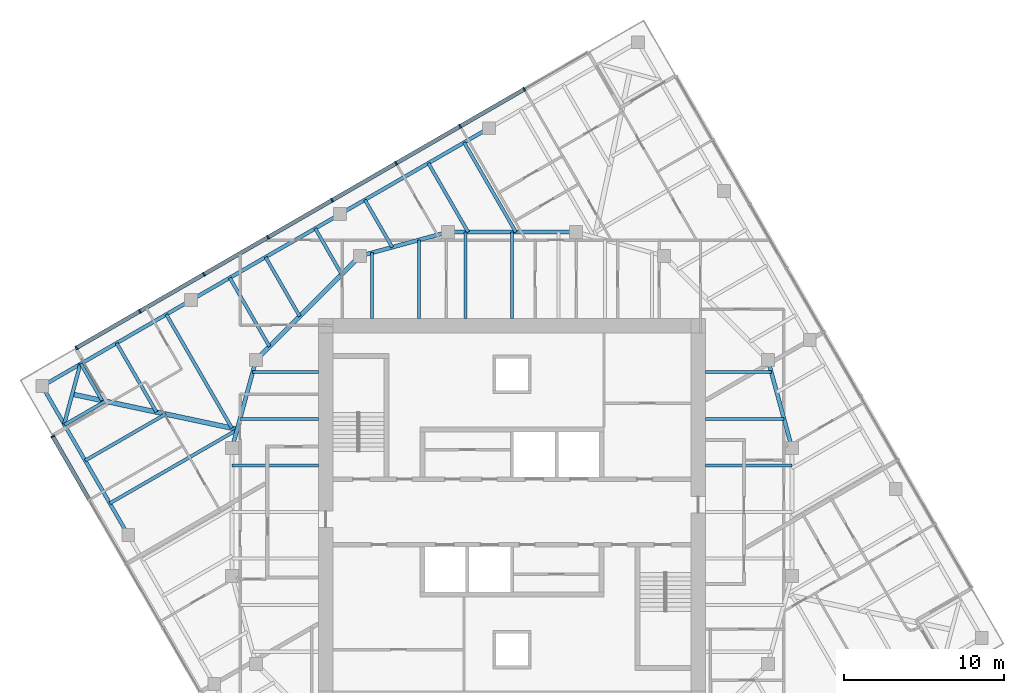
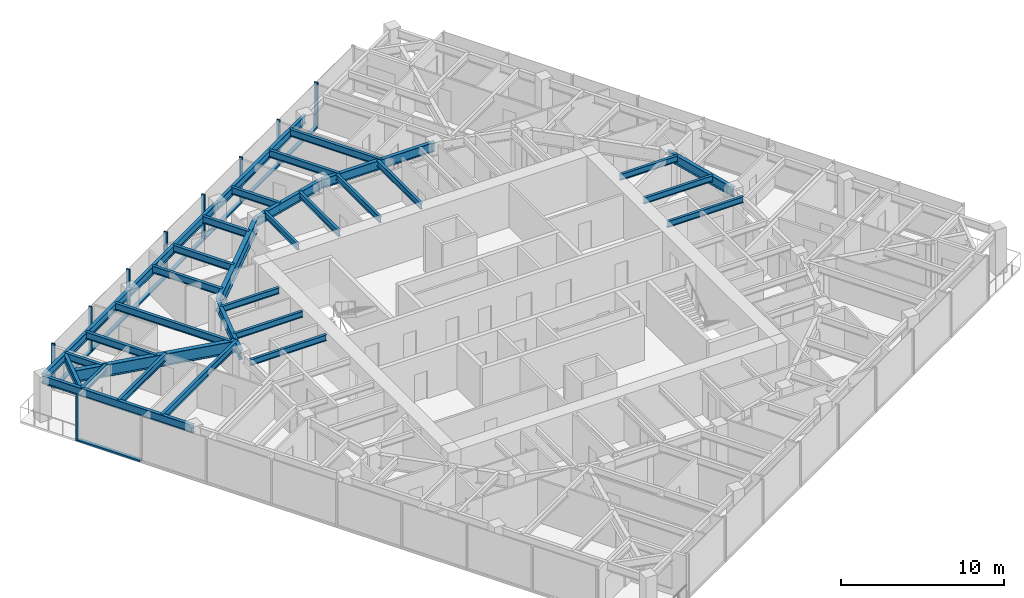
# One storey, part 4 of 13: 33 beams, 17 members, 2 elements without a shape of their own.
"""IFC4 building model written with IfcOpenShell, lengths in metres."""

from ifc_helpers import new_model, si_unit, direction, frame, origin, origin_2d, place, context, subcontext, project, spatial, rectangle, i_section, extrude, material, material_profile, profile_set, type_object, element, aggregate, save


model = new_model("IFC4")

# Units and contexts
model_context = context("Model", 3, precision=1e-05, world=origin(), true_north=direction((0.0, 1.0)))
body_context = subcontext(model_context, "Body", "Model", "MODEL_VIEW")
ifc_project = project(units=[si_unit("LENGTHUNIT", "METRE"), si_unit("AREAUNIT", "SQUARE_METRE"), si_unit("VOLUMEUNIT", "CUBIC_METRE"), si_unit("PLANEANGLEUNIT", "RADIAN"), si_unit("MASSUNIT", "GRAM", prefix="KILO")], contexts=[model_context])

# Site, building, storey
site_placement = place(None, origin())
site = spatial("IfcSite", under=ifc_project, at=site_placement, CompositionType="ELEMENT")
building_placement = place(site_placement, origin())
building = spatial("IfcBuilding", under=site, at=building_placement, Name="Torsade Residences", CompositionType="ELEMENT")
storey_placement = place(building_placement, frame((0.0, 0.0, 215.0)))
storey = spatial("IfcBuildingStorey", under=building, at=storey_placement, Name="L59", CompositionType="ELEMENT", Elevation=215.0)

# Beams
ifc_material_1 = material(Name="Steel grade 300", Category="steel")
ifc_material_profile_1 = material_profile(ifc_material_1, i_section(OverallWidth=0.300048828125, OverallDepth=0.89990234375, WebThickness=0.011962890625, FlangeThickness=0.02490234375, at=origin_2d()), Name="900WB175")
ifc_profile_set_1 = profile_set([ifc_material_profile_1], Name="Steel grade 300")
beam_type_1 = type_object("IfcBeamType", Name="CORNER GIRDER 900WB175", PredefinedType="BEAM", material=ifc_profile_set_1)
beam_1_placement = place(storey_placement, frame((12.5087890625, 37.3662109375, 2.800048828125), z_axis=(0.978115155685, -0.20806427425, 0.0), x_axis=(0.20806427425, 0.978115155685, 0.0)))
element("IfcBeam", 1, at=beam_1_placement, inside=storey, type_object=beam_type_1, Name="Corner girder 13 L60", PredefinedType="BEAM", context=body_context, shape_type="SweptSolid", body=[
    extrude(i_section(OverallWidth=0.300048828125, OverallDepth=0.89990234375, WebThickness=0.011962890625, FlangeThickness=0.02490234375, at=origin_2d()), origin(), (0.0, 0.0, 1.0), 10.541748046875),
])
ifc_material_2 = material(Name="Steel grade 300", Category="steel")
ifc_material_profile_2 = material_profile(ifc_material_2, i_section(OverallWidth=0.22802734375, OverallDepth=0.60205078125, WebThickness=0.010498046875, FlangeThickness=0.014892578125, FilletRadius=0.013916015625, at=origin_2d()), Name="610UB101")
ifc_profile_set_2 = profile_set([ifc_material_profile_2], Name="Steel grade 300")
beam_type_2 = type_object("IfcBeamType", Name="CORNER TRIMMER 610UB101", PredefinedType="BEAM", material=ifc_profile_set_2)
beam_2_placement = place(storey_placement, frame((12.00537109375, 35.488037109375, 2.948974609375), z_axis=(0.258822897619, 0.965924794002, 0.0), x_axis=(-0.965924794002, 0.258822897619, 0.0)))
element("IfcBeam", 2, at=beam_2_placement, inside=storey, type_object=beam_type_2, Name="Corner trimmer 13 L60", PredefinedType="BEAM", context=body_context, shape_type="SweptSolid", body=[
    extrude(i_section(OverallWidth=0.22802734375, OverallDepth=0.60205078125, WebThickness=0.010498046875, FlangeThickness=0.014892578125, FilletRadius=0.013916015625, at=origin_2d()), origin(), (0.0, 0.0, 1.0), 3.88916015625),
])
ifc_material_3 = material(Name="Steel grade 300", Category="steel")
ifc_material_profile_3 = material_profile(ifc_material_3, i_section(OverallWidth=0.22900390625, OverallDepth=0.612060546875, WebThickness=0.011962890625, FlangeThickness=0.01953125, FilletRadius=0.013916015625, at=origin_2d()), Name="610UB125")
ifc_profile_set_3 = profile_set([ifc_material_profile_3], Name="Steel grade 300")
beam_type_3 = type_object("IfcBeamType", Name="EDGE BEAM 610UB125", PredefinedType="SPANDREL", material=ifc_profile_set_3)
for number, where, z_axis, x_axis, name in (
    (3, (38.559814453125, 53.99462890625, 2.944091796875), (-0.866026365697, -0.499998333915, 0.0), (0.499998333915, -0.866026365697, 0.0), "Edge beam 10 L60"),
    (4, (29.25, 48.61962890625, 2.944091796875), (-0.866026365697, -0.499998333915, 0.0), (0.499998333915, -0.866026365697, 0.0), "Edge beam 11 L60"),
    (5, (19.940185546875, 43.24462890625, 2.944091796875), (-0.866026365697, -0.499998333915, 0.0), (0.499998333915, -0.866026365697, 0.0), "Edge beam 12 L60"),
    (6, (10.63037109375, 37.86962890625, 2.944091796875), (0.499998333915, -0.866026365697, 0.0), (0.866026365697, 0.499998333915, 0.0), "Edge beam 13 L60"),
):
    element("IfcBeam", number, at=place(storey_placement, frame(where, z_axis=z_axis, x_axis=x_axis)), inside=storey, type_object=beam_type_3, Name=name, PredefinedType="SPANDREL", context=body_context, shape_type="SweptSolid", body=[
        extrude(i_section(OverallWidth=0.22900390625, OverallDepth=0.612060546875, WebThickness=0.011962890625, FlangeThickness=0.01953125, FilletRadius=0.013916015625, at=origin_2d()), origin(), (0.0, 0.0, 1.0), 10.75),
    ])

# Curtain wall, members
ifc_material_4 = material(Name="Aluminium and glass", Category="aluminium")
curtain_wall_type = type_object("IfcCurtainWallType", Name="FRITTED GLASS CURTAIN WALL HIGH ZONE", PredefinedType="NOTDEFINED", material=ifc_material_4)
curtain_wall_1_placement = place(storey_placement, origin())
curtain_wall_1 = element("IfcCurtainWall", 7, at=curtain_wall_1_placement, inside=storey, type_object=curtain_wall_type, Name="Curtain wall L59 face 7", PredefinedType="NOTDEFINED")
ifc_material_5 = material(Name="Aluminium mullion", Category="aluminium")
ifc_material_profile_4 = material_profile(ifc_material_5, rectangle(XDim=0.25, YDim=0.10009765625, at=origin_2d()), Name="HIGH ZONE CURTAIN WALL MULLION 250x100")
ifc_profile_set_4 = profile_set([ifc_material_profile_4], Name="Aluminium mullion")
member_type_1 = type_object("IfcMemberType", Name="HIGH ZONE CURTAIN WALL MULLION 250x100", PredefinedType="MULLION", material=ifc_profile_set_4)
member_1_placement = place(storey_placement, frame((40.76611328125, 56.423095703125, 0.0), z_axis=(0.0, 0.0, 1.0), x_axis=(0.499999999305, -0.866025404186, 0.0)))
member_1 = element("IfcMember", 8, at=member_1_placement, type_object=member_type_1, Name="Mullion 2", PredefinedType="MULLION", context=body_context, shape_type="SweptSolid", body=[
    extrude(rectangle(XDim=0.25, YDim=0.10009765625, at=origin_2d()), origin(), (0.0, 0.0, 1.0), 3.39990234375),
])
member_2_placement = place(storey_placement, frame((36.7607421875, 54.110595703125, 0.0), z_axis=(0.0, 0.0, 1.0), x_axis=(0.499999999305, -0.866025404186, 0.0)))
member_2 = element("IfcMember", 9, at=member_2_placement, type_object=member_type_1, Name="Mullion 3", PredefinedType="MULLION", context=body_context, shape_type="SweptSolid", body=[
    extrude(rectangle(XDim=0.25, YDim=0.10009765625, at=origin_2d()), origin(), (0.0, 0.0, 1.0), 3.39990234375),
])
member_3_placement = place(storey_placement, frame((32.75537109375, 51.798095703125, 0.0), z_axis=(0.0, 0.0, 1.0), x_axis=(0.499999999305, -0.866025404186, 0.0)))
member_3 = element("IfcMember", 10, at=member_3_placement, type_object=member_type_1, Name="Mullion 4", PredefinedType="MULLION", context=body_context, shape_type="SweptSolid", body=[
    extrude(rectangle(XDim=0.25, YDim=0.10009765625, at=origin_2d()), origin(), (0.0, 0.0, 1.0), 3.39990234375),
])
member_4_placement = place(storey_placement, frame((28.75, 49.485595703125, 0.0), z_axis=(0.0, 0.0, 1.0), x_axis=(0.499999999305, -0.866025404186, 0.0)))
member_4 = element("IfcMember", 11, at=member_4_placement, type_object=member_type_1, Name="Mullion 5", PredefinedType="MULLION", context=body_context, shape_type="SweptSolid", body=[
    extrude(rectangle(XDim=0.25, YDim=0.10009765625, at=origin_2d()), origin(), (0.0, 0.0, 1.0), 3.39990234375),
])
member_5_placement = place(storey_placement, frame((24.74462890625, 47.173095703125, 0.0), z_axis=(0.0, 0.0, 1.0), x_axis=(0.499999999305, -0.866025404186, 0.0)))
member_5 = element("IfcMember", 12, at=member_5_placement, type_object=member_type_1, Name="Mullion 6", PredefinedType="MULLION", context=body_context, shape_type="SweptSolid", body=[
    extrude(rectangle(XDim=0.25, YDim=0.10009765625, at=origin_2d()), origin(), (0.0, 0.0, 1.0), 3.39990234375),
])
member_6_placement = place(storey_placement, frame((20.7392578125, 44.860595703125, 0.0), z_axis=(0.0, 0.0, 1.0), x_axis=(0.499999999305, -0.866025404186, 0.0)))
member_6 = element("IfcMember", 13, at=member_6_placement, type_object=member_type_1, Name="Mullion 7", PredefinedType="MULLION", context=body_context, shape_type="SweptSolid", body=[
    extrude(rectangle(XDim=0.25, YDim=0.10009765625, at=origin_2d()), origin(), (0.0, 0.0, 1.0), 3.39990234375),
])
member_7_placement = place(storey_placement, frame((16.73388671875, 42.548095703125, 0.0), z_axis=(0.0, 0.0, 1.0), x_axis=(0.499999999305, -0.866025404186, 0.0)))
member_7 = element("IfcMember", 14, at=member_7_placement, type_object=member_type_1, Name="Mullion 8", PredefinedType="MULLION", context=body_context, shape_type="SweptSolid", body=[
    extrude(rectangle(XDim=0.25, YDim=0.10009765625, at=origin_2d()), origin(), (0.0, 0.0, 1.0), 3.39990234375),
])
member_8_placement = place(storey_placement, frame((12.771728515625, 40.260498046875, 0.0), z_axis=(0.0, 0.0, 1.0), x_axis=(0.499999999305, -0.866025404186, 0.0)))
member_8 = element("IfcMember", 15, at=member_8_placement, type_object=member_type_1, Name="Mullion 9", PredefinedType="MULLION", context=body_context, shape_type="SweptSolid", body=[
    extrude(rectangle(XDim=0.25, YDim=0.10009765625, at=origin_2d()), origin(), (0.0, 0.0, 1.0), 3.39990234375),
])

# Curtain wall, member
curtain_wall_2_placement = place(storey_placement, origin())
curtain_wall_2 = element("IfcCurtainWall", 16, at=curtain_wall_2_placement, inside=storey, type_object=curtain_wall_type, Name="Curtain wall L59 face 10", PredefinedType="NOTDEFINED")
member_9_placement = place(storey_placement, frame((11.289306640625, 34.728271484375, 0.0), z_axis=(0.0, 0.0, 1.0), x_axis=(0.866025404186, 0.499999999305, 0.0)))
member_9 = element("IfcMember", 17, at=member_9_placement, type_object=member_type_1, Name="Mullion 1", PredefinedType="MULLION", context=body_context, shape_type="SweptSolid", body=[
    extrude(rectangle(XDim=0.25, YDim=0.10009765625, at=origin_2d()), origin(), (0.0, 0.0, 1.0), 3.39990234375),
])

# Member
ifc_material_6 = material(Name="Aluminium transom", Category="aluminium")
ifc_material_profile_5 = material_profile(ifc_material_6, rectangle(XDim=0.25, YDim=0.1201171875, at=origin_2d()), Name="HIGH ZONE CURTAIN WALL TRANSOM 250x120")
ifc_profile_set_5 = profile_set([ifc_material_profile_5], Name="Aluminium transom")
member_type_2 = type_object("IfcMemberType", Name="HIGH ZONE CURTAIN WALL TRANSOM 250x120", PredefinedType="USERDEFINED", material=ifc_profile_set_5)
member_10_placement = place(storey_placement, frame((40.722900390625, 56.398193359375, 0.06005859375), z_axis=(-0.866016678684, -0.500015112013, 0.0), x_axis=(0.500015112013, -0.866016678684, 0.0)))
member_10 = element("IfcMember", 18, at=member_10_placement, type_object=member_type_2, Name="Transom 2.1", ObjectType="TRANSOM", PredefinedType="USERDEFINED", context=body_context, shape_type="SweptSolid", body=[
    extrude(rectangle(XDim=0.25, YDim=0.1201171875, at=origin_2d()), origin(), (0.0, 0.0, 1.0), 4.525146484375),
])

member_11_placement = place(storey_placement, frame((36.717529296875, 54.085693359375, 0.06005859375), z_axis=(-0.866016678684, -0.500015112013, 0.0), x_axis=(0.500015112013, -0.866016678684, 0.0)))
member_11 = element("IfcMember", 19, at=member_11_placement, type_object=member_type_2, Name="Transom 3.1", ObjectType="TRANSOM", PredefinedType="USERDEFINED", context=body_context, shape_type="SweptSolid", body=[
    extrude(rectangle(XDim=0.25, YDim=0.1201171875, at=origin_2d()), origin(), (0.0, 0.0, 1.0), 4.525146484375),
])

member_12_placement = place(storey_placement, frame((32.712158203125, 51.773193359375, 0.06005859375), z_axis=(-0.866016678684, -0.500015112013, 0.0), x_axis=(0.500015112013, -0.866016678684, 0.0)))
member_12 = element("IfcMember", 20, at=member_12_placement, type_object=member_type_2, Name="Transom 4.1", ObjectType="TRANSOM", PredefinedType="USERDEFINED", context=body_context, shape_type="SweptSolid", body=[
    extrude(rectangle(XDim=0.25, YDim=0.1201171875, at=origin_2d()), origin(), (0.0, 0.0, 1.0), 4.525146484375),
])

member_13_placement = place(storey_placement, frame((28.706787109375, 49.460693359375, 0.06005859375), z_axis=(-0.866016678684, -0.500015112013, 0.0), x_axis=(0.500015112013, -0.866016678684, 0.0)))
member_13 = element("IfcMember", 21, at=member_13_placement, type_object=member_type_2, Name="Transom 5.1", ObjectType="TRANSOM", PredefinedType="USERDEFINED", context=body_context, shape_type="SweptSolid", body=[
    extrude(rectangle(XDim=0.25, YDim=0.1201171875, at=origin_2d()), origin(), (0.0, 0.0, 1.0), 4.525146484375),
])

member_14_placement = place(storey_placement, frame((24.701416015625, 47.148193359375, 0.06005859375), z_axis=(-0.866016678684, -0.500015112013, 0.0), x_axis=(0.500015112013, -0.866016678684, 0.0)))
member_14 = element("IfcMember", 22, at=member_14_placement, type_object=member_type_2, Name="Transom 6.1", ObjectType="TRANSOM", PredefinedType="USERDEFINED", context=body_context, shape_type="SweptSolid", body=[
    extrude(rectangle(XDim=0.25, YDim=0.1201171875, at=origin_2d()), origin(), (0.0, 0.0, 1.0), 4.525146484375),
])

member_15_placement = place(storey_placement, frame((20.696044921875, 44.835693359375, 0.06005859375), z_axis=(-0.866016678684, -0.500015112013, 0.0), x_axis=(0.500015112013, -0.866016678684, 0.0)))
member_15 = element("IfcMember", 23, at=member_15_placement, type_object=member_type_2, Name="Transom 7.1", ObjectType="TRANSOM", PredefinedType="USERDEFINED", context=body_context, shape_type="SweptSolid", body=[
    extrude(rectangle(XDim=0.25, YDim=0.1201171875, at=origin_2d()), origin(), (0.0, 0.0, 1.0), 4.525146484375),
])

member_16_placement = place(storey_placement, frame((16.690673828125, 42.523193359375, 0.06005859375), z_axis=(-0.866022053326, -0.50000580312, 0.0), x_axis=(0.50000580312, -0.866022053326, 0.0)))
member_16 = element("IfcMember", 24, at=member_16_placement, type_object=member_type_2, Name="Transom 8.1", ObjectType="TRANSOM", PredefinedType="USERDEFINED", context=body_context, shape_type="SweptSolid", body=[
    extrude(rectangle(XDim=0.25, YDim=0.1201171875, at=origin_2d()), origin(), (0.0, 0.0, 1.0), 4.47509765625),
])

aggregate(curtain_wall_1, [member_1, member_2, member_3, member_4, member_5, member_6, member_7, member_8, member_10, member_11, member_12, member_13, member_14, member_15, member_16])

member_17_placement = place(storey_placement, frame((11.314453125, 34.684814453125, 0.06005859375), z_axis=(0.50000580312, -0.866022053326, 0.0), x_axis=(0.866022053326, 0.50000580312, 0.0)))
member_17 = element("IfcMember", 25, at=member_17_placement, type_object=member_type_2, Name="Transom 1.1", ObjectType="TRANSOM", PredefinedType="USERDEFINED", context=body_context, shape_type="SweptSolid", body=[
    extrude(rectangle(XDim=0.25, YDim=0.1201171875, at=origin_2d()), origin(), (0.0, 0.0, 1.0), 4.47509765625),
])

aggregate(curtain_wall_2, [member_9, member_17])

# Beams
ifc_material_7 = material(Name="Steel grade 300", Category="steel")
ifc_material_profile_6 = material_profile(ifc_material_7, i_section(OverallWidth=0.18994140625, OverallDepth=0.4541015625, WebThickness=0.008544921875, FlangeThickness=0.0126953125, FilletRadius=0.011474609375, at=origin_2d()), Name="460UB67.1")
ifc_profile_set_6 = profile_set([ifc_material_profile_6], Name="Steel grade 300")
beam_type_4 = type_object("IfcBeamType", Name="INNER FLOOR BEAM 460UB67.1", PredefinedType="JOIST", material=ifc_profile_set_6)
beam_3_placement = place(storey_placement, frame((31.262451171875, 42.10009765625, 3.02294921875), z_axis=(0.0, 1.0, 0.0), x_axis=(-1.0, 0.0, 0.0)))
element("IfcBeam", 26, at=beam_3_placement, inside=storey, type_object=beam_type_4, Name="Inner floor beam IN01 L60", PredefinedType="JOIST", context=body_context, shape_type="SweptSolid", body=[
    extrude(i_section(OverallWidth=0.18994140625, OverallDepth=0.4541015625, WebThickness=0.008544921875, FlangeThickness=0.0126953125, FilletRadius=0.011474609375, at=origin_2d()), origin(), (0.0, 0.0, 1.0), 4.10791015625),
])
beam_4_placement = place(storey_placement, frame((34.175048828125, 42.10009765625, 3.02294921875), z_axis=(0.0, 1.0, 0.0), x_axis=(-1.0, 0.0, 0.0)))
element("IfcBeam", 27, at=beam_4_placement, inside=storey, type_object=beam_type_4, Name="Inner floor beam IN02 L60", PredefinedType="JOIST", context=body_context, shape_type="SweptSolid", body=[
    extrude(i_section(OverallWidth=0.18994140625, OverallDepth=0.4541015625, WebThickness=0.008544921875, FlangeThickness=0.0126953125, FilletRadius=0.011474609375, at=origin_2d()), origin(), (0.0, 0.0, 1.0), 4.902099609375),
])
for number, where, z_axis, x_axis, name in (
    (28, (37.08740234375, 42.10009765625, 3.02294921875), (0.0, 1.0, 0.0), (-1.0, 0.0, 0.0), "Inner floor beam IN03 L60"),
    (29, (40.0, 42.10009765625, 3.02294921875), (0.0, 1.0, 0.0), (-1.0, 0.0, 0.0), "Inner floor beam IN04 L60"),
    (30, (52.10009765625, 32.91259765625, 3.02294921875), (1.0, 0.0, 0.0), (0.0, 1.0, 0.0), "Inner floor beam IE05 L60"),
):
    element("IfcBeam", number, at=place(storey_placement, frame(where, z_axis=z_axis, x_axis=x_axis)), inside=storey, type_object=beam_type_4, Name=name, PredefinedType="JOIST", context=body_context, shape_type="SweptSolid", body=[
        extrude(i_section(OverallWidth=0.18994140625, OverallDepth=0.4541015625, WebThickness=0.008544921875, FlangeThickness=0.0126953125, FilletRadius=0.011474609375, at=origin_2d()), origin(), (0.0, 0.0, 1.0), 5.39990234375),
    ])
beam_5_placement = place(storey_placement, frame((52.10009765625, 35.824951171875, 3.02294921875), z_axis=(1.0, 0.0, 0.0), x_axis=(0.0, 1.0, 0.0)))
element("IfcBeam", 31, at=beam_5_placement, inside=storey, type_object=beam_type_4, Name="Inner floor beam IE06 L60", PredefinedType="JOIST", context=body_context, shape_type="SweptSolid", body=[
    extrude(i_section(OverallWidth=0.18994140625, OverallDepth=0.4541015625, WebThickness=0.008544921875, FlangeThickness=0.0126953125, FilletRadius=0.011474609375, at=origin_2d()), origin(), (0.0, 0.0, 1.0), 4.902099609375),
])
for number, where, z_axis, x_axis, name in (
    (32, (52.10009765625, 38.737548828125, 3.02294921875), (1.0, 0.0, 0.0), (0.0, 1.0, 0.0), "Inner floor beam IE07 L60"),
    (33, (27.89990234375, 38.737548828125, 3.02294921875), (-1.0, 0.0, 0.0), (0.0, -1.0, 0.0), "Inner floor beam IW01 L60"),
):
    element("IfcBeam", number, at=place(storey_placement, frame(where, z_axis=z_axis, x_axis=x_axis)), inside=storey, type_object=beam_type_4, Name=name, PredefinedType="JOIST", context=body_context, shape_type="SweptSolid", body=[
        extrude(i_section(OverallWidth=0.18994140625, OverallDepth=0.4541015625, WebThickness=0.008544921875, FlangeThickness=0.0126953125, FilletRadius=0.011474609375, at=origin_2d()), origin(), (0.0, 0.0, 1.0), 4.10791015625),
    ])
beam_6_placement = place(storey_placement, frame((27.89990234375, 35.824951171875, 3.02294921875), z_axis=(-1.0, 0.0, 0.0), x_axis=(0.0, -1.0, 0.0)))
element("IfcBeam", 34, at=beam_6_placement, inside=storey, type_object=beam_type_4, Name="Inner floor beam IW02 L60", PredefinedType="JOIST", context=body_context, shape_type="SweptSolid", body=[
    extrude(i_section(OverallWidth=0.18994140625, OverallDepth=0.4541015625, WebThickness=0.008544921875, FlangeThickness=0.0126953125, FilletRadius=0.011474609375, at=origin_2d()), origin(), (0.0, 0.0, 1.0), 4.902099609375),
])
beam_7_placement = place(storey_placement, frame((27.89990234375, 32.91259765625, 3.02294921875), z_axis=(-1.0, 0.0, 0.0), x_axis=(0.0, -1.0, 0.0)))
element("IfcBeam", 35, at=beam_7_placement, inside=storey, type_object=beam_type_4, Name="Inner floor beam IW03 L60", PredefinedType="JOIST", context=body_context, shape_type="SweptSolid", body=[
    extrude(i_section(OverallWidth=0.18994140625, OverallDepth=0.4541015625, WebThickness=0.008544921875, FlangeThickness=0.0126953125, FilletRadius=0.011474609375, at=origin_2d()), origin(), (0.0, 0.0, 1.0), 5.39990234375),
])
ifc_material_8 = material(Name="Steel grade 300", Category="steel")
ifc_material_profile_7 = material_profile(ifc_material_8, i_section(OverallWidth=0.300048828125, OverallDepth=1.0, WebThickness=0.01611328125, FlangeThickness=0.028076171875, at=origin_2d()), Name="1000WB215")
ifc_profile_set_7 = profile_set([ifc_material_profile_7], Name="Steel grade 300")
beam_type_5 = type_object("IfcBeamType", Name="RING CORNER GIRDER 1000WB215", PredefinedType="BEAM", material=ifc_profile_set_7)
beam_8_placement = place(storey_placement, frame((30.5, 46.0, 2.75), z_axis=(-0.707106781187, -0.707106781187, 0.0), x_axis=(0.707106781187, -0.707106781187, 0.0)))
element("IfcBeam", 36, at=beam_8_placement, inside=storey, type_object=beam_type_5, Name="Ring girder IR07 L60", PredefinedType="BEAM", context=body_context, shape_type="SweptSolid", body=[
    extrude(i_section(OverallWidth=0.300048828125, OverallDepth=1.0, WebThickness=0.01611328125, FlangeThickness=0.028076171875, at=origin_2d()), origin(), (0.0, 0.0, 1.0), 9.1923828125),
])
ifc_material_9 = material(Name="Steel grade 300", Category="steel")
ifc_material_profile_8 = material_profile(ifc_material_9, i_section(OverallWidth=0.25, OverallDepth=0.699951171875, WebThickness=0.010009765625, FlangeThickness=0.02001953125, at=origin_2d()), Name="700WB130")
ifc_profile_set_8 = profile_set([ifc_material_profile_8], Name="Steel grade 300")
beam_type_6 = type_object("IfcBeamType", Name="RING GIRDER 700WB130", PredefinedType="BEAM", material=ifc_profile_set_8)
beam_9_placement = place(storey_placement, frame((57.5, 34.0, 2.89990234375), z_axis=(-0.263117405792, 0.964763821238, 0.0), x_axis=(-0.964763821238, -0.263117405792, 0.0)))
element("IfcBeam", 37, at=beam_9_placement, inside=storey, type_object=beam_type_6, Name="Ring girder IR02 L60", PredefinedType="BEAM", context=body_context, shape_type="SweptSolid", body=[
    extrude(i_section(OverallWidth=0.25, OverallDepth=0.699951171875, WebThickness=0.010009765625, FlangeThickness=0.02001953125, at=origin_2d()), origin(), (0.0, 0.0, 1.0), 5.700927734375),
])
beam_10_placement = place(storey_placement, frame((44.0, 47.5, 2.89990234375), z_axis=(-1.0, 0.0, 0.0), x_axis=(0.0, -1.0, 0.0)))
element("IfcBeam", 38, at=beam_10_placement, inside=storey, type_object=beam_type_6, Name="Ring girder IR05 L60", PredefinedType="BEAM", context=body_context, shape_type="SweptSolid", body=[
    extrude(i_section(OverallWidth=0.25, OverallDepth=0.699951171875, WebThickness=0.010009765625, FlangeThickness=0.02001953125, at=origin_2d()), origin(), (0.0, 0.0, 1.0), 8.0),
])
for number, where, z_axis, x_axis, name in (
    (39, (36.0, 47.5, 2.89990234375), (-0.964763821238, -0.263117405792, 0.0), (0.263117405792, -0.964763821238, 0.0), "Ring girder IR06 L60"),
    (40, (24.0, 39.5, 2.89990234375), (-0.263117405792, -0.964763821238, 0.0), (0.964763821238, -0.263117405792, 0.0), "Ring girder IR08 L60"),
):
    element("IfcBeam", number, at=place(storey_placement, frame(where, z_axis=z_axis, x_axis=x_axis)), inside=storey, type_object=beam_type_6, Name=name, PredefinedType="BEAM", context=body_context, shape_type="SweptSolid", body=[
        extrude(i_section(OverallWidth=0.25, OverallDepth=0.699951171875, WebThickness=0.010009765625, FlangeThickness=0.02001953125, at=origin_2d()), origin(), (0.0, 0.0, 1.0), 5.700927734375),
    ])
ifc_material_10 = material(Name="Steel grade 300", Category="steel")
ifc_material_profile_9 = material_profile(ifc_material_10, i_section(OverallWidth=0.208984375, OverallDepth=0.528076171875, WebThickness=0.009521484375, FlangeThickness=0.01318359375, FilletRadius=0.013916015625, at=origin_2d()), Name="530UB82.0")
ifc_profile_set_9 = profile_set([ifc_material_profile_9], Name="Steel grade 300")
beam_type_7 = type_object("IfcBeamType", Name="SECONDARY BEAM 530UB82.0", PredefinedType="JOIST", material=ifc_profile_set_9)
beam_11_placement = place(storey_placement, frame((37.008056640625, 53.0986328125, 2.986083984375), z_axis=(0.500005767435, -0.866022073929, 0.0), x_axis=(0.866022073929, 0.500005767435, 0.0)))
element("IfcBeam", 41, at=beam_11_placement, inside=storey, type_object=beam_type_7, Name="Floor beam FN04 L60", PredefinedType="JOIST", context=body_context, shape_type="SweptSolid", body=[
    extrude(i_section(OverallWidth=0.208984375, OverallDepth=0.528076171875, WebThickness=0.009521484375, FlangeThickness=0.01318359375, FilletRadius=0.013916015625, at=origin_2d()), origin(), (0.0, 0.0, 1.0), 6.46484375),
])
beam_12_placement = place(storey_placement, frame((34.77099609375, 51.80712890625, 2.986083984375), z_axis=(0.499977414361, -0.866038443216, 0.0), x_axis=(0.866038443216, 0.499977414361, 0.0)))
element("IfcBeam", 42, at=beam_12_placement, inside=storey, type_object=beam_type_7, Name="Floor beam FN05 L60", PredefinedType="JOIST", context=body_context, shape_type="SweptSolid", body=[
    extrude(i_section(OverallWidth=0.208984375, OverallDepth=0.528076171875, WebThickness=0.009521484375, FlangeThickness=0.01318359375, FilletRadius=0.013916015625, at=origin_2d()), origin(), (0.0, 0.0, 1.0), 4.973388671875),
])
beam_13_placement = place(storey_placement, frame((30.801513671875, 49.515380859375, 2.986083984375), z_axis=(0.500041249073, -0.866001587311, 0.0), x_axis=(0.866001587311, 0.500041249073, 0.0)))
element("IfcBeam", 43, at=beam_13_placement, inside=storey, type_object=beam_type_7, Name="Floor beam FN06 L60", PredefinedType="JOIST", context=body_context, shape_type="SweptSolid", body=[
    extrude(i_section(OverallWidth=0.208984375, OverallDepth=0.528076171875, WebThickness=0.009521484375, FlangeThickness=0.01318359375, FilletRadius=0.013916015625, at=origin_2d()), origin(), (0.0, 0.0, 1.0), 3.425048828125),
])
beam_14_placement = place(storey_placement, frame((27.698486328125, 47.7236328125, 2.986083984375), z_axis=(0.499975512502, -0.866039541186, 0.0), x_axis=(0.866039541186, 0.499975512502, 0.0)))
element("IfcBeam", 44, at=beam_14_placement, inside=storey, type_object=beam_type_7, Name="Floor beam FN07 L60", PredefinedType="JOIST", context=body_context, shape_type="SweptSolid", body=[
    extrude(i_section(OverallWidth=0.208984375, OverallDepth=0.528076171875, WebThickness=0.009521484375, FlangeThickness=0.01318359375, FilletRadius=0.013916015625, at=origin_2d()), origin(), (0.0, 0.0, 1.0), 3.312744140625),
])
beam_15_placement = place(storey_placement, frame((24.59521484375, 45.93212890625, 2.986083984375), z_axis=(0.500004369671, -0.866022880939, 0.0), x_axis=(0.866022880939, 0.500004369671, 0.0)))
element("IfcBeam", 45, at=beam_15_placement, inside=storey, type_object=beam_type_7, Name="Floor beam FN08 L60", PredefinedType="JOIST", context=body_context, shape_type="SweptSolid", body=[
    extrude(i_section(OverallWidth=0.208984375, OverallDepth=0.528076171875, WebThickness=0.009521484375, FlangeThickness=0.01318359375, FilletRadius=0.013916015625, at=origin_2d()), origin(), (0.0, 0.0, 1.0), 4.27294921875),
])
beam_16_placement = place(storey_placement, frame((22.35791015625, 44.640380859375, 2.986083984375), z_axis=(0.49996790502, -0.866043933037, 0.0), x_axis=(0.866043933037, 0.49996790502, 0.0)))
element("IfcBeam", 46, at=beam_16_placement, inside=storey, type_object=beam_type_7, Name="Floor beam FN09 L60", PredefinedType="JOIST", context=body_context, shape_type="SweptSolid", body=[
    extrude(i_section(OverallWidth=0.208984375, OverallDepth=0.528076171875, WebThickness=0.009521484375, FlangeThickness=0.01318359375, FilletRadius=0.013916015625, at=origin_2d()), origin(), (0.0, 0.0, 1.0), 4.965087890625),
])
beam_17_placement = place(storey_placement, frame((18.388671875, 42.3486328125, 2.986083984375), z_axis=(0.499992034702, -0.866030002502, 0.0), x_axis=(0.866030002502, 0.499992034702, 0.0)))
element("IfcBeam", 47, at=beam_17_placement, inside=storey, type_object=beam_type_7, Name="Floor beam FN10 L60", PredefinedType="JOIST", context=body_context, shape_type="SweptSolid", body=[
    extrude(i_section(OverallWidth=0.208984375, OverallDepth=0.528076171875, WebThickness=0.009521484375, FlangeThickness=0.01318359375, FilletRadius=0.013916015625, at=origin_2d()), origin(), (0.0, 0.0, 1.0), 8.205322265625),
])
beam_18_placement = place(storey_placement, frame((15.285400390625, 40.55712890625, 2.986083984375), z_axis=(0.499968694491, -0.866043477274, 0.0), x_axis=(0.866043477274, 0.499968694491, 0.0)))
element("IfcBeam", 48, at=beam_18_placement, inside=storey, type_object=beam_type_7, Name="Floor beam FN11 L60", PredefinedType="JOIST", context=body_context, shape_type="SweptSolid", body=[
    extrude(i_section(OverallWidth=0.208984375, OverallDepth=0.528076171875, WebThickness=0.009521484375, FlangeThickness=0.01318359375, FilletRadius=0.013916015625, at=origin_2d()), origin(), (0.0, 0.0, 1.0), 4.977783203125),
])
beam_19_placement = place(storey_placement, frame((13.048095703125, 39.265380859375, 2.986083984375), z_axis=(0.499972238474, -0.866041431316, 0.0), x_axis=(0.866041431316, 0.499972238474, 0.0)))
element("IfcBeam", 49, at=beam_19_placement, inside=storey, type_object=beam_type_7, Name="Floor beam FN12 L60", PredefinedType="JOIST", context=body_context, shape_type="SweptSolid", body=[
    extrude(i_section(OverallWidth=0.208984375, OverallDepth=0.528076171875, WebThickness=0.009521484375, FlangeThickness=0.01318359375, FilletRadius=0.013916015625, at=origin_2d()), origin(), (0.0, 0.0, 1.0), 2.651123046875),
])
beam_20_placement = place(storey_placement, frame((12.0263671875, 35.451904296875, 2.986083984375), z_axis=(0.866017313224, 0.500014013, 0.0), x_axis=(-0.500014013, 0.866017313224, 0.0)))
element("IfcBeam", 50, at=beam_20_placement, inside=storey, type_object=beam_type_7, Name="Floor beam FW01 L60", PredefinedType="JOIST", context=body_context, shape_type="SweptSolid", body=[
    extrude(i_section(OverallWidth=0.208984375, OverallDepth=0.528076171875, WebThickness=0.009521484375, FlangeThickness=0.01318359375, FilletRadius=0.013916015625, at=origin_2d()), origin(), (0.0, 0.0, 1.0), 2.94775390625),
])
beam_21_placement = place(storey_placement, frame((13.31787109375, 33.214599609375, 2.986083984375), z_axis=(0.866031100357, 0.499990133118, 0.0), x_axis=(-0.499990133118, 0.866031100357, 0.0)))
element("IfcBeam", 51, at=beam_21_placement, inside=storey, type_object=beam_type_7, Name="Floor beam FW02 L60", PredefinedType="JOIST", context=body_context, shape_type="SweptSolid", body=[
    extrude(i_section(OverallWidth=0.208984375, OverallDepth=0.528076171875, WebThickness=0.009521484375, FlangeThickness=0.01318359375, FilletRadius=0.013916015625, at=origin_2d()), origin(), (0.0, 0.0, 1.0), 5.81591796875),
])
beam_22_placement = place(storey_placement, frame((14.859619140625, 30.54443359375, 2.986083984375), z_axis=(0.866021712342, 0.500006393711, 0.0), x_axis=(-0.500006393711, 0.866021712342, 0.0)))
element("IfcBeam", 52, at=beam_22_placement, inside=storey, type_object=beam_type_7, Name="Floor beam FW03 L60", PredefinedType="JOIST", context=body_context, shape_type="SweptSolid", body=[
    extrude(i_section(OverallWidth=0.208984375, OverallDepth=0.528076171875, WebThickness=0.009521484375, FlangeThickness=0.01318359375, FilletRadius=0.013916015625, at=origin_2d()), origin(), (0.0, 0.0, 1.0), 9.1796875),
])

save(model, "model.ifc")
